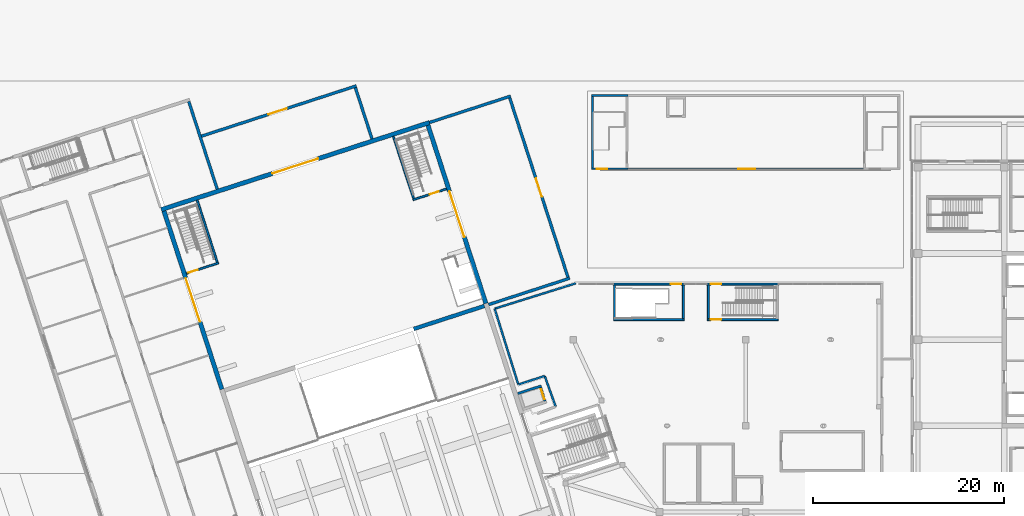
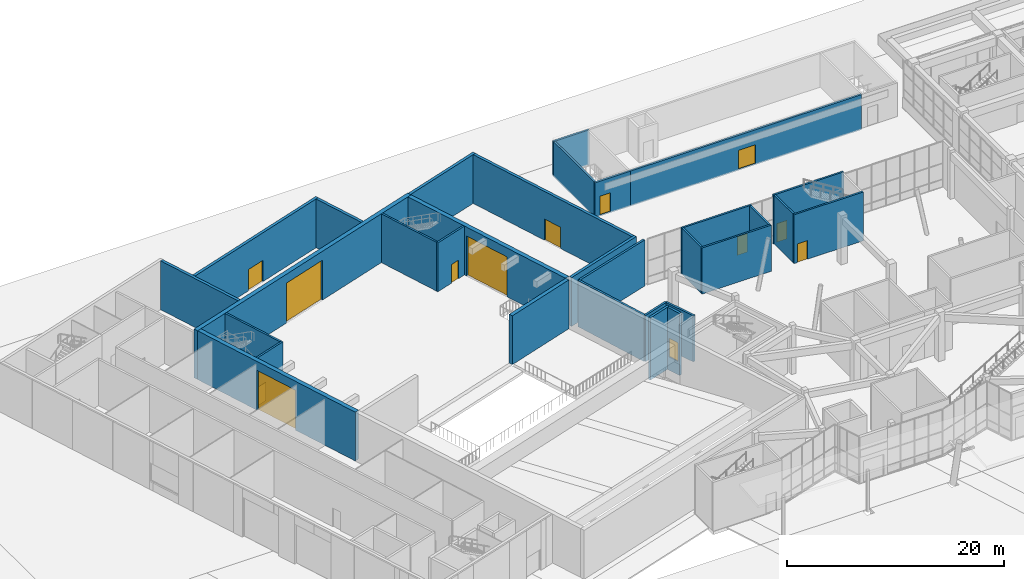
# One storey, part 55 of 72: 31 walls, 13 doors, 13 openings.
"""IFC4 building model written with IfcOpenShell, lengths in metres."""

from ifc_helpers import new_model, si_unit, direction, frame, frame_2d, origin, place, context, subcontext, project, spatial, rectangle, extrude, material, layer, layer_set, type_object, element, fill, save


model = new_model("IFC4")

# Units and contexts
model_context = context("Model", 3, precision=1e-05, world=origin(), true_north=direction((0.0, 1.0)))
body_context = subcontext(model_context, "Body", "Model", "MODEL_VIEW")
ifc_project = project(units=[si_unit("LENGTHUNIT", "METRE"), si_unit("AREAUNIT", "SQUARE_METRE"), si_unit("VOLUMEUNIT", "CUBIC_METRE"), si_unit("PLANEANGLEUNIT", "RADIAN"), si_unit("MASSUNIT", "GRAM", prefix="KILO")], contexts=[model_context])

# Site, building, storey
site_placement = place(None, origin())
site = spatial("IfcSite", under=ifc_project, at=site_placement, CompositionType="ELEMENT")
building_placement = place(site_placement, origin())
building = spatial("IfcBuilding", under=site, at=building_placement, Name="Tuart Plaza Theatre", CompositionType="ELEMENT")
storey_placement = place(building_placement, origin())
storey = spatial("IfcBuildingStorey", under=building, at=storey_placement, Name="L00", CompositionType="ELEMENT", Elevation=0.0)

# Wall, opening, door
ifc_material_1 = material(Name="Concrete N40 (40 MPa)", Category="concrete")
ifc_layer_1 = layer(ifc_material_1, 0.199951171875)
ifc_layer_set_1 = layer_set([ifc_layer_1], Name="SHEAR WALL RC200 FRL 120/120/120")
wall_type_1 = type_object("IfcWallType", Name="SHEAR WALL RC200 FRL 120/120/120", PredefinedType="SHEAR", material=ifc_layer_set_1)
wall_1_placement = place(storey_placement, frame((92.0, 76.10009765625, 0.0), z_axis=(0.0, 0.0, 1.0), x_axis=(1.0, 0.0, 0.0)))
wall_1 = element("IfcWall", 1, at=wall_1_placement, inside=storey, type_object=wall_type_1, Name="W254", PredefinedType="SHEAR", context=body_context, shape_type="SweptSolid", body=[
    extrude(rectangle(XDim=7.39990234375, YDim=0.199951171875, at=frame_2d((3.699951171875, 0.0))), origin(), (0.0, 0.0, 1.0), 5.5),
])
opening_1_placement = place(wall_1_placement, frame((0.35009765625, 0.0, 0.0)))
opening_1 = element("IfcOpeningElement", 2, at=opening_1_placement, cuts=wall_1, Name="Opening L00-060", PredefinedType="OPENING", context=body_context, shape_type="SweptSolid", body=[
    extrude(rectangle(XDim=1.10009765625, YDim=2.10009765625, at=frame_2d((0.550048828125, 1.050048828125))), frame((0.0, 0.10986328125, 0.0), z_axis=(0.0, -1.0, 0.0), x_axis=(1.0, 0.0, 0.0)), (0.0, 0.0, 1.0), 0.219970703125),
])
ifc_material_2 = material(Name="Steel Grade 300", Category="steel")
door_type_1 = type_object("IfcDoorType", Name="DOOR 1100x2100 steel single swing FRL -/120/30", OperationType="SINGLE_SWING_LEFT", PredefinedType="DOOR", material=ifc_material_2)
door_1_placement = place(opening_1_placement, origin())
door_1 = element("IfcDoor", 3, at=door_1_placement, inside=storey, type_object=door_type_1, Name="L00-060", OperationType="SINGLE_SWING_RIGHT", OverallHeight=2.10009765625, OverallWidth=1.10009765625, PredefinedType="DOOR", context=body_context, shape_type="SweptSolid", body=[
    extrude(rectangle(XDim=1.10009765625, YDim=2.10009765625, at=frame_2d((0.550048828125, 1.050048828125))), frame((0.0, 0.02490234375, 0.0), z_axis=(0.0, -1.0, 0.0), x_axis=(1.0, 0.0, 0.0)), (0.0, 0.0, 1.0), 0.050048828125),
])
fill(opening_1, door_1)

# Walls
wall_2_placement = place(storey_placement, frame((92.10009765625, 79.699951171875, 0.0), z_axis=(0.0, 0.0, 1.0), x_axis=(0.0, -1.0, 0.0)))
element("IfcWall", 4, at=wall_2_placement, inside=storey, type_object=wall_type_1, Name="W256", PredefinedType="SHEAR", context=body_context, shape_type="SweptSolid", body=[
    extrude(rectangle(XDim=3.5, YDim=0.199951171875, at=frame_2d((1.75, 0.0))), origin(), (0.0, 0.0, 1.0), 5.5),
])
wall_3_placement = place(storey_placement, frame((82.199951171875, 76.10009765625, 0.0), z_axis=(0.0, 0.0, 1.0), x_axis=(1.0, 0.0, 0.0)))
element("IfcWall", 5, at=wall_3_placement, inside=storey, type_object=wall_type_1, Name="W263", PredefinedType="SHEAR", context=body_context, shape_type="SweptSolid", body=[
    extrude(rectangle(XDim=7.400146484375, YDim=0.199951171875, at=frame_2d((3.7001953125, 0.0))), origin(), (0.0, 0.0, 1.0), 5.199951171875),
])
for number, where, z_axis, x_axis, name in (
    (6, (82.300048828125, 79.699951171875, 0.0), (0.0, 0.0, 1.0), (0.0, -1.0, 0.0), "W265"),
    (7, (89.5, 76.199951171875, 0.0), (0.0, 0.0, 1.0), (0.0, 1.0, 0.0), "W266"),
):
    element("IfcWall", number, at=place(storey_placement, frame(where, z_axis=z_axis, x_axis=x_axis)), inside=storey, type_object=wall_type_1, Name=name, PredefinedType="SHEAR", context=body_context, shape_type="SweptSolid", body=[
        extrude(rectangle(XDim=3.5, YDim=0.199951171875, at=frame_2d((1.75, 0.0))), origin(), (0.0, 0.0, 1.0), 5.199951171875),
    ])

# Wall, opening, door
ifc_material_3 = material(Name="Concrete N40 (40 MPa)", Category="concrete")
ifc_layer_2 = layer(ifc_material_3, 0.199951171875)
ifc_layer_set_2 = layer_set([ifc_layer_2], Name="SHEAR WALL RC200 FRL 120/120/120 EXT")
wall_type_2 = type_object("IfcWallType", Name="SHEAR WALL RC200 FRL 120/120/120 EXT", PredefinedType="SHEAR", material=ifc_layer_set_2)
wall_4_placement = place(storey_placement, frame((99.449951171875, 79.800048828125, 0.0), z_axis=(0.0, 0.0, 1.0), x_axis=(-1.0, 0.0, 0.0)))
wall_4 = element("IfcWall", 8, at=wall_4_placement, inside=storey, type_object=wall_type_2, Name="W255", PredefinedType="SHEAR", context=body_context, shape_type="SweptSolid", body=[
    extrude(rectangle(XDim=7.5, YDim=0.199951171875, at=frame_2d((3.75, 0.0))), origin(), (0.0, 0.0, 1.0), 5.5),
])
opening_2_placement = place(wall_4_placement, frame((6.0, 0.0, 0.0)))
opening_2 = element("IfcOpeningElement", 9, at=opening_2_placement, cuts=wall_4, Name="Opening L00-061", PredefinedType="OPENING", context=body_context, shape_type="SweptSolid", body=[
    extrude(rectangle(XDim=1.10009765625, YDim=2.10009765625, at=frame_2d((0.550048828125, 1.050048828125))), frame((0.0, 0.10986328125, 0.0), z_axis=(0.0, -1.0, 0.0), x_axis=(1.0, 0.0, 0.0)), (0.0, 0.0, 1.0), 0.219970703125),
])
door_2_placement = place(opening_2_placement, frame((1.10009765625, 0.0, 0.0), z_axis=(0.0, 0.0, 1.0), x_axis=(-1.0, 0.0, 0.0)))
door_2 = element("IfcDoor", 10, at=door_2_placement, inside=storey, type_object=door_type_1, Name="L00-061", OperationType="SINGLE_SWING_RIGHT", OverallHeight=2.10009765625, OverallWidth=1.10009765625, PredefinedType="DOOR", context=body_context, shape_type="SweptSolid", body=[
    extrude(rectangle(XDim=1.10009765625, YDim=2.10009765625, at=frame_2d((0.550048828125, 1.050048828125))), frame((0.0, 0.02490234375, 0.0), z_axis=(0.0, -1.0, 0.0), x_axis=(1.0, 0.0, 0.0)), (0.0, 0.0, 1.0), 0.050048828125),
])
fill(opening_2, door_2)

wall_5_placement = place(storey_placement, frame((89.64990234375, 79.800048828125, 0.0), z_axis=(0.0, 0.0, 1.0), x_axis=(-1.0, 0.0, 0.0)))
wall_5 = element("IfcWall", 11, at=wall_5_placement, inside=storey, type_object=wall_type_2, Name="W264", PredefinedType="SHEAR", context=body_context, shape_type="SweptSolid", body=[
    extrude(rectangle(XDim=7.5, YDim=0.199951171875, at=frame_2d((3.75, 0.0))), origin(), (0.0, 0.0, 1.0), 5.199951171875),
])
opening_3_placement = place(wall_5_placement, frame((0.39990234375, 0.0, 0.0)))
opening_3 = element("IfcOpeningElement", 12, at=opening_3_placement, cuts=wall_5, Name="Opening L00-065", PredefinedType="OPENING", context=body_context, shape_type="SweptSolid", body=[
    extrude(rectangle(XDim=1.10009765625, YDim=2.10009765625, at=frame_2d((0.550048828125, 1.050048828125))), frame((0.0, 0.10986328125, 0.0), z_axis=(0.0, -1.0, 0.0), x_axis=(1.0, 0.0, 0.0)), (0.0, 0.0, 1.0), 0.219970703125),
])
door_3_placement = place(opening_3_placement, frame((1.10009765625, 0.0, 0.0), z_axis=(0.0, 0.0, 1.0), x_axis=(-1.0, 0.0, 0.0)))
door_3 = element("IfcDoor", 13, at=door_3_placement, inside=storey, type_object=door_type_1, Name="L00-065", OperationType="SINGLE_SWING_LEFT", OverallHeight=2.10009765625, OverallWidth=1.10009765625, PredefinedType="DOOR", context=body_context, shape_type="SweptSolid", body=[
    extrude(rectangle(XDim=1.10009765625, YDim=2.10009765625, at=frame_2d((0.550048828125, 1.050048828125))), frame((0.0, 0.02490234375, 0.0), z_axis=(0.0, -1.0, 0.0), x_axis=(1.0, 0.0, 0.0)), (0.0, 0.0, 1.0), 0.050048828125),
])
fill(opening_3, door_3)

ifc_material_4 = material(Name="Concrete N40 (40 MPa)", Category="concrete")
ifc_layer_3 = layer(ifc_material_4, 0.25)
ifc_layer_set_3 = layer_set([ifc_layer_3], Name="SHEAR WALL RC250 FRL 120/120/120")
wall_type_3 = type_object("IfcWallType", Name="SHEAR WALL RC250 FRL 120/120/120", PredefinedType="SHEAR", material=ifc_layer_set_3)
wall_6_placement = place(storey_placement, frame((75.04248046875, 67.591064453125, -1.5), z_axis=(0.0, 0.0, 1.0), x_axis=(-0.308942527062, 0.951080708969, 0.0)))
wall_6 = element("IfcWall", 14, at=wall_6_placement, inside=storey, type_object=wall_type_3, Name="W229", PredefinedType="SHEAR", context=body_context, shape_type="SweptSolid", body=[
    extrude(rectangle(XDim=1.5, YDim=0.25, at=frame_2d((0.75, 0.0))), origin(), (0.0, 0.0, 1.0), 7.0),
])
opening_4_placement = place(wall_6_placement, frame((0.199951171875, 0.0, 1.5)))
opening_4 = element("IfcOpeningElement", 15, at=opening_4_placement, cuts=wall_6, Name="Opening L00-003", PredefinedType="OPENING", context=body_context, shape_type="SweptSolid", body=[
    extrude(rectangle(XDim=1.10009765625, YDim=2.10009765625, at=frame_2d((0.550048828125, 1.050048828125))), frame((0.0, 0.135009765625, 0.0), z_axis=(0.0, -1.0, 0.0), x_axis=(1.0, 0.0, 0.0)), (0.0, 0.0, 1.0), 0.27001953125),
])
ifc_material_5 = material(Name="Steel Grade 300", Category="steel")
door_type_2 = type_object("IfcDoorType", Name="LANDING DOOR 1100x2100 steel sliding FRL -/120/30", OperationType="SLIDING_TO_LEFT", PredefinedType="DOOR", material=ifc_material_5)
door_4_placement = place(opening_4_placement, origin())
door_4 = element("IfcDoor", 16, at=door_4_placement, inside=storey, type_object=door_type_2, Name="L00-003", OperationType="SLIDING_TO_LEFT", OverallHeight=2.10009765625, OverallWidth=1.10009765625, PredefinedType="DOOR", context=body_context, shape_type="SweptSolid", body=[
    extrude(rectangle(XDim=1.10009765625, YDim=2.10009765625, at=frame_2d((0.550048828125, 1.050048828125))), frame((0.0, 0.02490234375, 0.0), z_axis=(0.0, -1.0, 0.0), x_axis=(1.0, 0.0, 0.0)), (0.0, 0.0, 1.0), 0.050048828125),
])
fill(opening_4, door_4)

# Walls
wall_7_placement = place(storey_placement, frame((74.659423828125, 69.17529296875, -1.5), z_axis=(0.0, 0.0, 1.0), x_axis=(-0.951059595933, -0.309007516064, 0.0)))
element("IfcWall", 17, at=wall_7_placement, inside=storey, type_object=wall_type_3, Name="W230", PredefinedType="SHEAR", context=body_context, shape_type="SweptSolid", body=[
    extrude(rectangle(XDim=2.60009765625, YDim=0.25, at=frame_2d((1.300048828125, 0.0))), origin(), (0.0, 0.0, 1.0), 7.0),
])
ifc_material_6 = material(Name="Concrete N50 (50 MPa)", Category="concrete")
ifc_layer_4 = layer(ifc_material_6, 0.39990234375)
ifc_layer_set_4 = layer_set([ifc_layer_4], Name="SHEAR WALL RC400 N50 FRL 120/120/120")
wall_type_4 = type_object("IfcWallType", Name="SHEAR WALL RC400 N50 FRL 120/120/120", PredefinedType="SHEAR", material=ifc_layer_set_4)
wall_8_placement = place(storey_placement, frame((61.31982421875, 75.118896484375, 0.0), z_axis=(0.0, 0.0, 1.0), x_axis=(0.951055065909, 0.30902145817, 0.0)))
element("IfcWall", 18, at=wall_8_placement, inside=storey, type_object=wall_type_4, Name="W51", PredefinedType="SHEAR", context=body_context, shape_type="SweptSolid", body=[
    extrude(rectangle(XDim=7.77490234375, YDim=0.39990234375, at=frame_2d((3.887451171875, 0.0))), origin(), (0.0, 0.0, 1.0), 5.5),
])

# Wall, opening, door
ifc_material_7 = material(Name="Concrete N50 (50 MPa)", Category="concrete")
ifc_layer_5 = layer(ifc_material_7, 0.449951171875)
ifc_layer_set_5 = layer_set([ifc_layer_5], Name="SHEAR WALL RC450 N50 FRL 120/120/120")
wall_type_5 = type_object("IfcWallType", Name="SHEAR WALL RC450 N50 FRL 120/120/120", PredefinedType="SHEAR", material=ifc_layer_set_5)
wall_9_placement = place(storey_placement, frame((41.28564453125, 68.81982421875, 0.0), z_axis=(0.0, 0.0, 1.0), x_axis=(-0.309008517326, 0.951059270613, 0.0)))
wall_9 = element("IfcWall", 19, at=wall_9_placement, inside=storey, type_object=wall_type_5, Name="W41", PredefinedType="SHEAR", context=body_context, shape_type="SweptSolid", body=[
    extrude(rectangle(XDim=19.574951171875, YDim=0.449951171875, at=frame_2d((9.78759765625, 0.0))), origin(), (0.0, 0.0, 1.0), 5.5),
])
opening_5_placement = place(wall_9_placement, frame((7.39990234375, 0.0, 0.0)))
opening_5 = element("IfcOpeningElement", 20, at=opening_5_placement, cuts=wall_9, Name="Opening L00-045", PredefinedType="OPENING", context=body_context, shape_type="SweptSolid", body=[
    extrude(rectangle(XDim=4.800048828125, YDim=4.5, at=frame_2d((2.39990234375, 2.25))), frame((0.0, 0.23486328125, 0.0), z_axis=(0.0, -1.0, 0.0), x_axis=(1.0, 0.0, 0.0)), (0.0, 0.0, 1.0), 0.469970703125),
])
ifc_material_8 = material(Name="Steel Grade 300", Category="steel")
door_type_3 = type_object("IfcDoorType", Name="DOOR 4800x4500 steel sliding FRL -/120/30", OperationType="SLIDING_TO_LEFT", PredefinedType="DOOR", material=ifc_material_8)
door_5_placement = place(opening_5_placement, origin())
door_5 = element("IfcDoor", 21, at=door_5_placement, inside=storey, type_object=door_type_3, Name="L00-045", OperationType="SLIDING_TO_LEFT", OverallHeight=4.5, OverallWidth=4.800048828125, PredefinedType="DOOR", context=body_context, shape_type="SweptSolid", body=[
    extrude(rectangle(XDim=4.800048828125, YDim=4.5, at=frame_2d((2.39990234375, 2.25))), frame((0.0, 0.02490234375, 0.0), z_axis=(0.0, -1.0, 0.0), x_axis=(1.0, 0.0, 0.0)), (0.0, 0.0, 1.0), 0.050048828125),
])
fill(opening_5, door_5)

wall_10_placement = place(storey_placement, frame((68.866455078125, 77.78125, 0.0), z_axis=(0.0, 0.0, 1.0), x_axis=(-0.309019798438, 0.951055605195, 0.0)))
wall_10 = element("IfcWall", 22, at=wall_10_placement, inside=storey, type_object=wall_type_5, Name="W42", PredefinedType="SHEAR", context=body_context, shape_type="SweptSolid", body=[
    extrude(rectangle(XDim=19.574951171875, YDim=0.449951171875, at=frame_2d((9.78759765625, 0.0))), origin(), (0.0, 0.0, 1.0), 5.5),
])
opening_6_placement = place(wall_10_placement, frame((7.300048828125, 0.0, 0.0)))
opening_6 = element("IfcOpeningElement", 23, at=opening_6_placement, cuts=wall_10, Name="Opening L00-046", PredefinedType="OPENING", context=body_context, shape_type="SweptSolid", body=[
    extrude(rectangle(XDim=5.0, YDim=4.5, at=frame_2d((2.5, 2.25))), frame((0.0, 0.23486328125, 0.0), z_axis=(0.0, -1.0, 0.0), x_axis=(1.0, 0.0, 0.0)), (0.0, 0.0, 1.0), 0.469970703125),
])
ifc_material_9 = material(Name="Steel Grade 300", Category="steel")
door_type_4 = type_object("IfcDoorType", Name="DOOR 5000x4500 steel sliding FRL -/120/30", OperationType="SLIDING_TO_LEFT", PredefinedType="DOOR", material=ifc_material_9)
door_6_placement = place(opening_6_placement, origin())
door_6 = element("IfcDoor", 24, at=door_6_placement, inside=storey, type_object=door_type_4, Name="L00-046", OperationType="SLIDING_TO_LEFT", OverallHeight=4.5, OverallWidth=5.0, PredefinedType="DOOR", context=body_context, shape_type="SweptSolid", body=[
    extrude(rectangle(XDim=5.0, YDim=4.5, at=frame_2d((2.5, 2.25))), frame((0.0, 0.02490234375, 0.0), z_axis=(0.0, -1.0, 0.0), x_axis=(1.0, 0.0, 0.0)), (0.0, 0.0, 1.0), 0.050048828125),
])
fill(opening_6, door_6)

wall_11_placement = place(storey_placement, frame((34.953125, 87.581298828125, 0.0), z_axis=(0.0, 0.0, 1.0), x_axis=(0.951059165148, 0.309008841924, 0.0)))
wall_11 = element("IfcWall", 25, at=wall_11_placement, inside=storey, type_object=wall_type_5, Name="W43", PredefinedType="SHEAR", context=body_context, shape_type="SweptSolid", body=[
    extrude(rectangle(XDim=29.4501953125, YDim=0.449951171875, at=frame_2d((14.72509765625, 0.0))), origin(), (0.0, 0.0, 1.0), 5.5),
])
opening_7_placement = place(wall_11_placement, frame((12.22509765625, 0.0, 0.0)))
opening_7 = element("IfcOpeningElement", 26, at=opening_7_placement, cuts=wall_11, Name="Opening L00-047", PredefinedType="OPENING", context=body_context, shape_type="SweptSolid", body=[
    extrude(rectangle(XDim=5.0, YDim=4.5, at=frame_2d((2.5, 2.25))), frame((0.0, 0.23486328125, 0.0), z_axis=(0.0, -1.0, 0.0), x_axis=(1.0, 0.0, 0.0)), (0.0, 0.0, 1.0), 0.469970703125),
])
door_7_placement = place(opening_7_placement, origin())
door_7 = element("IfcDoor", 27, at=door_7_placement, inside=storey, type_object=door_type_4, Name="L00-047", OperationType="SLIDING_TO_LEFT", OverallHeight=4.5, OverallWidth=5.0, PredefinedType="DOOR", context=body_context, shape_type="SweptSolid", body=[
    extrude(rectangle(XDim=5.0, YDim=4.5, at=frame_2d((2.5, 2.25))), frame((0.0, 0.02490234375, 0.0), z_axis=(0.0, -1.0, 0.0), x_axis=(1.0, 0.0, 0.0)), (0.0, 0.0, 1.0), 0.050048828125),
])
fill(opening_7, door_7)

ifc_material_10 = material(Name="Concrete N40 (40 MPa)", Category="concrete")
ifc_layer_6 = layer(ifc_material_10, 0.199951171875)
ifc_layer_set_6 = layer_set([ifc_layer_6], Name="WALL RC200 FRL -/120/120 EXT")
wall_type_6 = type_object("IfcWallType", Name="WALL RC200 FRL -/120/120 EXT", PredefinedType="SOLIDWALL", material=ifc_layer_set_6)
wall_12_placement = place(storey_placement, frame((83.699951171875, 91.85009765625, -0.14990234375), z_axis=(0.0, 0.0, 1.0), x_axis=(1.0, 0.0, 0.0)))
wall_12 = element("IfcWall", 28, at=wall_12_placement, inside=storey, type_object=wall_type_6, Name="P758", PredefinedType="SOLIDWALL", context=body_context, shape_type="SweptSolid", body=[
    extrude(rectangle(XDim=24.60009765625, YDim=0.199951171875, at=frame_2d((12.300048828125, 0.0))), origin(), (0.0, 0.0, 1.0), 3.949951171875),
])
opening_8_placement = place(wall_12_placement, frame((11.5, 0.0, 0.14990234375)))
opening_8 = element("IfcOpeningElement", 29, at=opening_8_placement, cuts=wall_12, Name="Opening L00-096", PredefinedType="OPENING", context=body_context, shape_type="SweptSolid", body=[
    extrude(rectangle(XDim=1.800048828125, YDim=2.10009765625, at=frame_2d((0.89990234375, 1.050048828125))), frame((0.0, 0.10986328125, 0.0), z_axis=(0.0, -1.0, 0.0), x_axis=(1.0, 0.0, 0.0)), (0.0, 0.0, 1.0), 0.219970703125),
])
ifc_material_11 = material(Name="Aluminium", Category="aluminium")
door_type_5 = type_object("IfcDoorType", Name="DOOR 1800x2100 aluminium double swing FRL -/120/30", OperationType="DOUBLE_DOOR_SINGLE_SWING", PredefinedType="DOOR", material=ifc_material_11)
door_8_placement = place(opening_8_placement, frame((1.800048828125, 0.0, 0.0), z_axis=(0.0, 0.0, 1.0), x_axis=(-1.0, 0.0, 0.0)))
door_8 = element("IfcDoor", 30, at=door_8_placement, inside=storey, type_object=door_type_5, Name="L00-096", OperationType="DOUBLE_DOOR_SINGLE_SWING", OverallHeight=2.10009765625, OverallWidth=1.800048828125, PredefinedType="DOOR", context=body_context, shape_type="SweptSolid", body=[
    extrude(rectangle(XDim=1.800048828125, YDim=2.10009765625, at=frame_2d((0.89990234375, 1.050048828125))), frame((0.0, 0.02490234375, 0.0), z_axis=(0.0, -1.0, 0.0), x_axis=(1.0, 0.0, 0.0)), (0.0, 0.0, 1.0), 0.050048828125),
])
fill(opening_8, door_8)

ifc_material_12 = material(Name="Concrete N40 (40 MPa)", Category="concrete")
ifc_layer_7 = layer(ifc_material_12, 0.199951171875)
ifc_layer_set_7 = layer_set([ifc_layer_7], Name="WALL RC200 FRL 120/120/120 EXT")
wall_type_7 = type_object("IfcWallType", Name="WALL RC200 FRL 120/120/120 EXT", PredefinedType="SOLIDWALL", material=ifc_layer_set_7)
wall_13_placement = place(storey_placement, frame((79.89990234375, 91.85009765625, -0.14990234375), z_axis=(0.0, 0.0, 1.0), x_axis=(1.0, 0.0, 0.0)))
wall_13 = element("IfcWall", 31, at=wall_13_placement, inside=storey, type_object=wall_type_7, Name="P757", PredefinedType="SOLIDWALL", context=body_context, shape_type="SweptSolid", body=[
    extrude(rectangle(XDim=3.800048828125, YDim=0.199951171875, at=frame_2d((1.89990234375, 0.0))), origin(), (0.0, 0.0, 1.0), 3.949951171875),
])
opening_9_placement = place(wall_13_placement, frame((0.550048828125, 0.0, 0.14990234375)))
opening_9 = element("IfcOpeningElement", 32, at=opening_9_placement, cuts=wall_13, Name="Opening L00-094", PredefinedType="OPENING", context=body_context, shape_type="SweptSolid", body=[
    extrude(rectangle(XDim=1.10009765625, YDim=2.10009765625, at=frame_2d((0.550048828125, 1.050048828125))), frame((0.0, 0.10986328125, 0.0), z_axis=(0.0, -1.0, 0.0), x_axis=(1.0, 0.0, 0.0)), (0.0, 0.0, 1.0), 0.219970703125),
])
ifc_material_13 = material(Name="Timber", Category="wood")
door_type_6 = type_object("IfcDoorType", Name="DOOR 1100x2100 timber single swing FRL -/120/30", OperationType="SINGLE_SWING_LEFT", PredefinedType="DOOR", material=ifc_material_13)
door_9_placement = place(opening_9_placement, frame((1.10009765625, 0.0, 0.0), z_axis=(0.0, 0.0, 1.0), x_axis=(-1.0, 0.0, 0.0)))
door_9 = element("IfcDoor", 33, at=door_9_placement, inside=storey, type_object=door_type_6, Name="L00-094", OperationType="SINGLE_SWING_LEFT", OverallHeight=2.10009765625, OverallWidth=1.10009765625, PredefinedType="DOOR", context=body_context, shape_type="SweptSolid", body=[
    extrude(rectangle(XDim=1.10009765625, YDim=2.10009765625, at=frame_2d((0.550048828125, 1.050048828125))), frame((0.0, 0.02490234375, 0.0), z_axis=(0.0, -1.0, 0.0), x_axis=(1.0, 0.0, 0.0)), (0.0, 0.0, 1.0), 0.050048828125),
])
fill(opening_9, door_9)

# Walls
wall_14_placement = place(storey_placement, frame((79.89990234375, 99.5, -0.14990234375), z_axis=(0.0, 0.0, 1.0), x_axis=(1.0, 0.0, 0.0)))
element("IfcWall", 34, at=wall_14_placement, inside=storey, type_object=wall_type_7, Name="P760", PredefinedType="SOLIDWALL", context=body_context, shape_type="SweptSolid", body=[
    extrude(rectangle(XDim=3.800048828125, YDim=0.199951171875, at=frame_2d((1.89990234375, 0.0))), origin(), (0.0, 0.0, 1.0), 3.949951171875),
])
wall_15_placement = place(storey_placement, frame((80.0, 91.949951171875, -0.14990234375), z_axis=(0.0, 0.0, 1.0), x_axis=(0.0, 1.0, 0.0)))
element("IfcWall", 35, at=wall_15_placement, inside=storey, type_object=wall_type_7, Name="P763", PredefinedType="SOLIDWALL", context=body_context, shape_type="SweptSolid", body=[
    extrude(rectangle(XDim=7.449951171875, YDim=0.199951171875, at=frame_2d((3.72509765625, 0.0))), origin(), (0.0, 0.0, 1.0), 3.949951171875),
])

# Wall, opening, door
ifc_material_14 = material(Name="Concrete N40 (40 MPa)", Category="concrete")
ifc_layer_8 = layer(ifc_material_14, 0.199951171875)
ifc_layer_set_8 = layer_set([ifc_layer_8], Name="WALL RC200 LB FRL 120/120/120")
wall_type_8 = type_object("IfcWallType", Name="WALL RC200 LB FRL 120/120/120", PredefinedType="SOLIDWALL", material=ifc_layer_set_8)
wall_16_placement = place(storey_placement, frame((37.590576171875, 80.920166015625, 0.0), z_axis=(0.0, 0.0, 1.0), x_axis=(0.951052389726, 0.30902969436, 0.0)))
wall_16 = element("IfcWall", 36, at=wall_16_placement, inside=storey, type_object=wall_type_8, Name="W134", PredefinedType="SOLIDWALL", context=body_context, shape_type="SweptSolid", body=[
    extrude(rectangle(XDim=3.525146484375, YDim=0.199951171875, at=frame_2d((1.7626953125, 0.0))), origin(), (0.0, 0.0, 1.0), 5.5),
])
opening_10_placement = place(wall_16_placement, frame((0.22509765625, 0.0, 0.0)))
opening_10 = element("IfcOpeningElement", 37, at=opening_10_placement, cuts=wall_16, Name="Opening L00-038", PredefinedType="OPENING", context=body_context, shape_type="SweptSolid", body=[
    extrude(rectangle(XDim=1.0, YDim=2.10009765625, at=frame_2d((0.5, 1.050048828125))), frame((0.0, 0.10986328125, 0.0), z_axis=(0.0, -1.0, 0.0), x_axis=(1.0, 0.0, 0.0)), (0.0, 0.0, 1.0), 0.219970703125),
])
ifc_material_15 = material(Name="Timber", Category="wood")
door_type_7 = type_object("IfcDoorType", Name="DOOR 1000x2100 timber single swing FRL -/120/30", OperationType="SINGLE_SWING_LEFT", PredefinedType="DOOR", material=ifc_material_15)
door_10_placement = place(opening_10_placement, origin())
door_10 = element("IfcDoor", 38, at=door_10_placement, inside=storey, type_object=door_type_7, Name="L00-038", OperationType="SINGLE_SWING_LEFT", OverallHeight=2.10009765625, OverallWidth=1.0, PredefinedType="DOOR", context=body_context, shape_type="SweptSolid", body=[
    extrude(rectangle(XDim=1.0, YDim=2.10009765625, at=frame_2d((0.5, 1.050048828125))), frame((0.0, 0.02490234375, 0.0), z_axis=(0.0, -1.0, 0.0), x_axis=(1.0, 0.0, 0.0)), (0.0, 0.0, 1.0), 0.050048828125),
])
fill(opening_10, door_10)

# Wall
wall_17_placement = place(storey_placement, frame((40.817138671875, 82.07373046875, 0.0), z_axis=(0.0, 0.0, 1.0), x_axis=(-0.309028643499, 0.951052731186, 0.0)))
element("IfcWall", 39, at=wall_17_placement, inside=storey, type_object=wall_type_8, Name="W135", PredefinedType="SOLIDWALL", context=body_context, shape_type="SweptSolid", body=[
    extrude(rectangle(XDim=6.824951171875, YDim=0.199951171875, at=frame_2d((3.41259765625, 0.0))), origin(), (0.0, 0.0, 1.0), 5.5),
])

# Wall, opening, door
wall_18_placement = place(storey_placement, frame((64.743408203125, 89.74267578125, 0.0), z_axis=(0.0, 0.0, 1.0), x_axis=(-0.95104773735, -0.309044011885, 0.0)))
wall_18 = element("IfcWall", 40, at=wall_18_placement, inside=storey, type_object=wall_type_8, Name="W148", PredefinedType="SOLIDWALL", context=body_context, shape_type="SweptSolid", body=[
    extrude(rectangle(XDim=3.675048828125, YDim=0.199951171875, at=frame_2d((1.83740234375, 0.0))), origin(), (0.0, 0.0, 1.0), 5.5),
])
opening_11_placement = place(wall_18_placement, frame((0.824951171875, 0.0, 0.0)))
opening_11 = element("IfcOpeningElement", 41, at=opening_11_placement, cuts=wall_18, Name="Opening L00-039", PredefinedType="OPENING", context=body_context, shape_type="SweptSolid", body=[
    extrude(rectangle(XDim=1.0, YDim=2.10009765625, at=frame_2d((0.5, 1.050048828125))), frame((0.0, 0.10986328125, 0.0), z_axis=(0.0, -1.0, 0.0), x_axis=(1.0, 0.0, 0.0)), (0.0, 0.0, 1.0), 0.219970703125),
])
door_11_placement = place(opening_11_placement, frame((1.0, 0.0, 0.0), z_axis=(0.0, 0.0, 1.0), x_axis=(-1.0, 0.0, 0.0)))
door_11 = element("IfcDoor", 42, at=door_11_placement, inside=storey, type_object=door_type_7, Name="L00-039", OperationType="SINGLE_SWING_LEFT", OverallHeight=2.10009765625, OverallWidth=1.0, PredefinedType="DOOR", context=body_context, shape_type="SweptSolid", body=[
    extrude(rectangle(XDim=1.0, YDim=2.10009765625, at=frame_2d((0.5, 1.050048828125))), frame((0.0, 0.02490234375, 0.0), z_axis=(0.0, -1.0, 0.0), x_axis=(1.0, 0.0, 0.0)), (0.0, 0.0, 1.0), 0.050048828125),
])
fill(opening_11, door_11)

# Walls
wall_19_placement = place(storey_placement, frame((61.3125, 88.73291015625, 0.0), z_axis=(0.0, 0.0, 1.0), x_axis=(-0.309028643499, 0.951052731186, 0.0)))
element("IfcWall", 43, at=wall_19_placement, inside=storey, type_object=wall_type_8, Name="W149", PredefinedType="SOLIDWALL", context=body_context, shape_type="SweptSolid", body=[
    extrude(rectangle(XDim=6.824951171875, YDim=0.199951171875, at=frame_2d((3.41259765625, 0.0))), origin(), (0.0, 0.0, 1.0), 5.5),
])
ifc_material_16 = material(Name="Concrete N40 (40 MPa)", Category="concrete")
ifc_layer_9 = layer(ifc_material_16, 0.219970703125)
ifc_layer_set_9 = layer_set([ifc_layer_9], Name="WALL RC220 FRL 120/120/120")
wall_type_9 = type_object("IfcWallType", Name="WALL RC220 FRL 120/120/120", PredefinedType="SOLIDWALL", material=ifc_layer_set_9)
wall_20_placement = place(storey_placement, frame((76.15283203125, 67.005615234375, 0.0), z_axis=(0.0, 0.0, 1.0), x_axis=(-0.336845601427, 0.941559897616, 0.0)))
element("IfcWall", 44, at=wall_20_placement, inside=storey, type_object=wall_type_9, Name="P43", PredefinedType="SOLIDWALL", context=body_context, shape_type="SweptSolid", body=[
    extrude(rectangle(XDim=3.4013671875, YDim=0.219970703125, at=frame_2d((1.70068359375, 0.0))), origin(), (0.0, 0.0, 1.0), 5.199951171875),
])
wall_21_placement = place(storey_placement, frame((75.007080078125, 70.208251953125, 0.0), z_axis=(0.0, 0.0, 1.0), x_axis=(-0.951047059821, -0.309046096893, 0.0)))
element("IfcWall", 45, at=wall_21_placement, inside=storey, type_object=wall_type_9, Name="P44", PredefinedType="SOLIDWALL", context=body_context, shape_type="SweptSolid", body=[
    extrude(rectangle(XDim=2.89990234375, YDim=0.219970703125, at=frame_2d((1.449951171875, 0.0))), origin(), (0.0, 0.0, 1.0), 5.199951171875),
])
wall_22_placement = place(storey_placement, frame((72.2490234375, 69.31201171875, 0.0), z_axis=(0.0, 0.0, 1.0), x_axis=(-0.297531334915, 0.954712053314, 0.0)))
element("IfcWall", 46, at=wall_22_placement, inside=storey, type_object=wall_type_9, Name="P45", PredefinedType="SOLIDWALL", context=body_context, shape_type="SweptSolid", body=[
    extrude(rectangle(XDim=8.30078125, YDim=0.219970703125, at=frame_2d((4.150390625, 0.0))), origin(), (0.0, 0.0, 1.0), 5.199951171875),
])
wall_23_placement = place(storey_placement, frame((69.779296875, 77.23681640625, 0.0), z_axis=(0.0, 0.0, 1.0), x_axis=(0.954435963037, 0.298415804646, 0.0)))
element("IfcWall", 47, at=wall_23_placement, inside=storey, type_object=wall_type_9, Name="P46", PredefinedType="SOLIDWALL", context=body_context, shape_type="SweptSolid", body=[
    extrude(rectangle(XDim=8.884765625, YDim=0.219970703125, at=frame_2d((4.4423828125, 0.0))), origin(), (0.0, 0.0, 1.0), 5.199951171875),
])
ifc_material_17 = material(Name="Concrete N40 (40 MPa)", Category="concrete")
ifc_layer_10 = layer(ifc_material_17, 0.300048828125)
ifc_layer_set_10 = layer_set([ifc_layer_10], Name="WALL RC300 LB FRL 120/120/120")
wall_type_10 = type_object("IfcWallType", Name="WALL RC300 LB FRL 120/120/120", PredefinedType="SOLIDWALL", material=ifc_layer_set_10)
wall_24_placement = place(storey_placement, frame((37.82958984375, 98.872802734375, 0.0), z_axis=(0.0, 0.0, 1.0), x_axis=(0.30902011435, -0.951055502548, 0.0)))
element("IfcWall", 48, at=wall_24_placement, inside=storey, type_object=wall_type_10, Name="W62", PredefinedType="SOLIDWALL", context=body_context, shape_type="SweptSolid", body=[
    extrude(rectangle(XDim=9.625244140625, YDim=0.300048828125, at=frame_2d((4.8125, 0.0))), origin(), (0.0, 0.0, 1.0), 5.5),
])

# Wall, opening, door
wall_25_placement = place(storey_placement, frame((39.162109375, 95.257568359375, 0.0), z_axis=(0.0, 0.0, 1.0), x_axis=(0.951058550479, 0.309010733732, 0.0)))
wall_25 = element("IfcWall", 49, at=wall_25_placement, inside=storey, type_object=wall_type_10, Name="W63", PredefinedType="SOLIDWALL", context=body_context, shape_type="SweptSolid", body=[
    extrude(rectangle(XDim=17.0, YDim=0.300048828125, at=frame_2d((8.5, 0.0))), origin(), (0.0, 0.0, 1.0), 5.5),
])
opening_12_placement = place(wall_25_placement, frame((7.35009765625, 0.0, 0.0)))
opening_12 = element("IfcOpeningElement", 50, at=opening_12_placement, cuts=wall_25, Name="Opening L00-049", PredefinedType="OPENING", context=body_context, shape_type="SweptSolid", body=[
    extrude(rectangle(XDim=2.0, YDim=2.39990234375, at=frame_2d((1.0, 1.199951171875))), frame((0.0, 0.159912109375, 0.0), z_axis=(0.0, -1.0, 0.0), x_axis=(1.0, 0.0, 0.0)), (0.0, 0.0, 1.0), 0.320068359375),
])
ifc_material_18 = material(Name="Steel Grade 300", Category="steel")
door_type_8 = type_object("IfcDoorType", Name="DOOR 2000x2400 steel double swing FRL -/120/30", OperationType="DOUBLE_DOOR_SINGLE_SWING", PredefinedType="DOOR", material=ifc_material_18)
door_12_placement = place(opening_12_placement, origin())
door_12 = element("IfcDoor", 51, at=door_12_placement, inside=storey, type_object=door_type_8, Name="L00-049", OperationType="DOUBLE_DOOR_SINGLE_SWING", OverallHeight=2.39990234375, OverallWidth=2.0, PredefinedType="DOOR", context=body_context, shape_type="SweptSolid", body=[
    extrude(rectangle(XDim=2.0, YDim=2.39990234375, at=frame_2d((1.0, 1.199951171875))), frame((0.0, 0.02490234375, 0.0), z_axis=(0.0, -1.0, 0.0), x_axis=(1.0, 0.0, 0.0)), (0.0, 0.0, 1.0), 0.050048828125),
])
fill(opening_12, door_12)

# Walls
wall_26_placement = place(storey_placement, frame((55.233642578125, 100.32177734375, 0.0), z_axis=(0.0, 0.0, 1.0), x_axis=(0.309031112369, -0.951051928965, 0.0)))
element("IfcWall", 52, at=wall_26_placement, inside=storey, type_object=wall_type_10, Name="W64", PredefinedType="SOLIDWALL", context=body_context, shape_type="SweptSolid", body=[
    extrude(rectangle(XDim=5.625, YDim=0.300048828125, at=frame_2d((2.8125, 0.0))), origin(), (0.0, 0.0, 1.0), 5.5),
])
wall_27_placement = place(storey_placement, frame((69.14208984375, 77.66064453125, 0.0), z_axis=(0.0, 0.0, 1.0), x_axis=(0.95105497274, 0.30902174491, 0.0)))
element("IfcWall", 53, at=wall_27_placement, inside=storey, type_object=wall_type_10, Name="W77", PredefinedType="SOLIDWALL", context=body_context, shape_type="SweptSolid", body=[
    extrude(rectangle(XDim=8.925048828125, YDim=0.300048828125, at=frame_2d((4.46240234375, 0.0))), origin(), (0.0, 0.0, 1.0), 5.5),
])

# Wall, opening, door
wall_28_placement = place(storey_placement, frame((77.44140625, 80.514892578125, 0.0), z_axis=(0.0, 0.0, 1.0), x_axis=(-0.309017136418, 0.951056470143, 0.0)))
wall_28 = element("IfcWall", 54, at=wall_28_placement, inside=storey, type_object=wall_type_10, Name="W78", PredefinedType="SOLIDWALL", context=body_context, shape_type="SweptSolid", body=[
    extrude(rectangle(XDim=19.699951171875, YDim=0.300048828125, at=frame_2d((9.85009765625, 0.0))), origin(), (0.0, 0.0, 1.0), 5.5),
])
opening_13_placement = place(wall_28_placement, frame((8.85009765625, 0.0, 0.0)))
opening_13 = element("IfcOpeningElement", 55, at=opening_13_placement, cuts=wall_28, Name="Opening L00-048", PredefinedType="OPENING", context=body_context, shape_type="SweptSolid", body=[
    extrude(rectangle(XDim=2.0, YDim=2.39990234375, at=frame_2d((1.0, 1.199951171875))), frame((0.0, 0.159912109375, 0.0), z_axis=(0.0, -1.0, 0.0), x_axis=(1.0, 0.0, 0.0)), (0.0, 0.0, 1.0), 0.320068359375),
])
door_13_placement = place(opening_13_placement, frame((2.0, 0.0, 0.0), z_axis=(0.0, 0.0, 1.0), x_axis=(-1.0, 0.0, 0.0)))
door_13 = element("IfcDoor", 56, at=door_13_placement, inside=storey, type_object=door_type_8, Name="L00-048", OperationType="DOUBLE_DOOR_SINGLE_SWING", OverallHeight=2.39990234375, OverallWidth=2.0, PredefinedType="DOOR", context=body_context, shape_type="SweptSolid", body=[
    extrude(rectangle(XDim=2.0, YDim=2.39990234375, at=frame_2d((1.0, 1.199951171875))), frame((0.0, 0.02490234375, 0.0), z_axis=(0.0, -1.0, 0.0), x_axis=(1.0, 0.0, 0.0)), (0.0, 0.0, 1.0), 0.050048828125),
])
fill(opening_13, door_13)

# Wall
wall_29_placement = place(storey_placement, frame((71.449951171875, 99.439697265625, 0.0), z_axis=(0.0, 0.0, 1.0), x_axis=(-0.951052360452, -0.309029784452, 0.0)))
element("IfcWall", 57, at=wall_29_placement, inside=storey, type_object=wall_type_10, Name="W79", PredefinedType="SOLIDWALL", context=body_context, shape_type="SweptSolid", body=[
    extrude(rectangle(XDim=8.9248046875, YDim=0.300048828125, at=frame_2d((4.46240234375, 0.0))), origin(), (0.0, 0.0, 1.0), 5.5),
])

save(model, "model.ifc")
